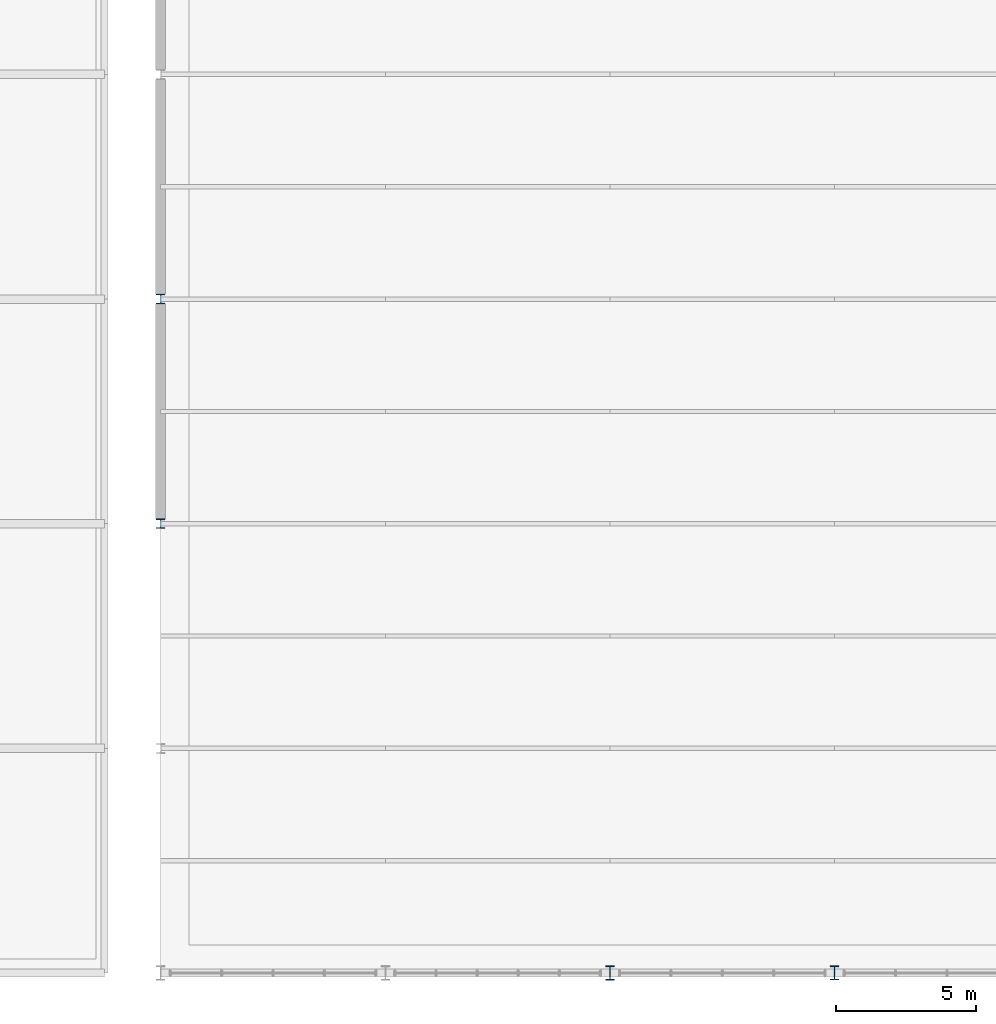
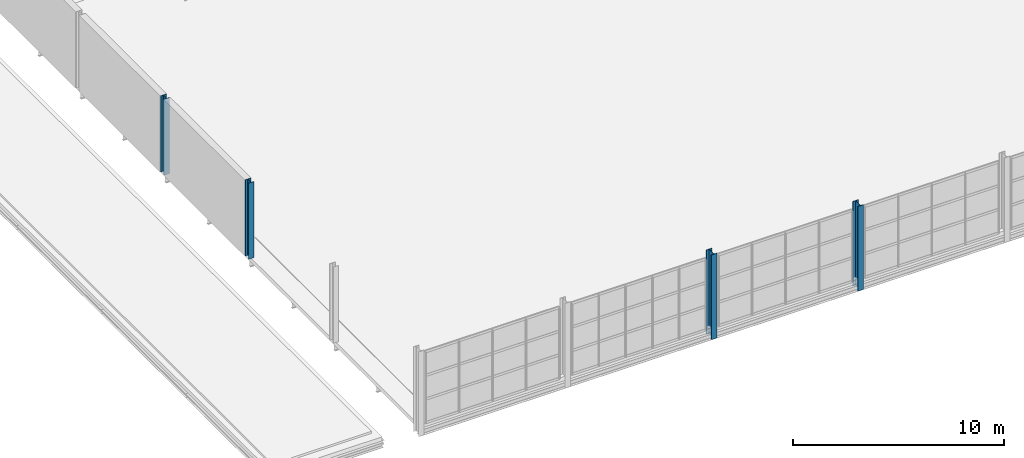
# One storey, part 6 of 153: 4 columns.
"""IFC4 building model written with IfcOpenShell, lengths in metres."""

from ifc_helpers import new_model, si_unit, derived_unit, direction, frame, origin, origin_2d, place, context, subcontext, project, spatial, i_section, extrude, material, material_profile, profile_set, type_object, element, save


model = new_model("IFC4")

# Units and contexts
model_context = context("Model", 3, precision=1e-05, world=origin(), true_north=direction((0.0, 1.0)))
body_context = subcontext(model_context, "Body", "Model", "MODEL_VIEW")
ifc_project = project(units=[si_unit("LENGTHUNIT", "METRE"), si_unit("AREAUNIT", "SQUARE_METRE"), si_unit("VOLUMEUNIT", "CUBIC_METRE"), si_unit("PLANEANGLEUNIT", "RADIAN"), si_unit("MASSUNIT", "GRAM", prefix="KILO"), derived_unit("THERMALTRANSMITTANCEUNIT", [(si_unit("POWERUNIT", "WATT"), 1), (si_unit("LENGTHUNIT", "METRE"), -2), (si_unit("THERMODYNAMICTEMPERATUREUNIT", "KELVIN"), -1)])], contexts=[model_context])

# Site, building, storey
site_placement = place(None, origin())
site = spatial("IfcSite", under=ifc_project, at=site_placement, CompositionType="ELEMENT")
building_placement = place(site_placement, origin())
building = spatial("IfcBuilding", under=site, at=building_placement, Name="Keldorne Ridge Multi-Sports Centre", CompositionType="ELEMENT")
storey_placement = place(building_placement, frame((0.0, 0.0, 9.60009765625)))
storey = spatial("IfcBuildingStorey", under=building, at=storey_placement, Name="L02", CompositionType="ELEMENT", Elevation=9.60009765625)

# Columns
ifc_material = material(Name="Steel S355", Category="steel")
ifc_material_profile_1 = material_profile(ifc_material, i_section(OverallWidth=0.300048828125, OverallDepth=0.5, WebThickness=0.014404296875, FlangeThickness=0.028076171875, FilletRadius=0.027099609375, at=origin_2d()), Name="HEB 500")
ifc_profile_set_1 = profile_set([ifc_material_profile_1], Name="Steel S355")
column_type_1 = type_object("IfcColumnType", Name="COL-C-05", PredefinedType="COLUMN", material=ifc_profile_set_1)
for number, where, z_axis, x_axis, name in (
    (1, (120.0, 6.0, -0.489990234375), (0.0, 0.0, 1.0), (1.0, 0.0, 0.0), "Structural column V2-TRUSS-S-03 on L02"),
    (2, (128.0, 6.0, -0.489990234375), (0.0, 0.0, 1.0), (1.0, 0.0, 0.0), "Structural column V2-TRUSS-S-04 on L02"),
):
    element("IfcColumn", number, at=place(storey_placement, frame(where, z_axis=z_axis, x_axis=x_axis)), inside=storey, type_object=column_type_1, Name=name, PredefinedType="COLUMN", context=body_context, shape_type="SweptSolid", body=[
        extrude(i_section(OverallWidth=0.300048828125, OverallDepth=0.5, WebThickness=0.014404296875, FlangeThickness=0.028076171875, FilletRadius=0.027099609375, at=origin_2d()), origin(), (0.0, 0.0, 1.0), 4.889892578125),
    ])
ifc_material_profile_2 = material_profile(ifc_material, i_section(OverallWidth=0.300048828125, OverallDepth=0.340087890625, WebThickness=0.011962890625, FlangeThickness=0.021484375, FilletRadius=0.027099609375, at=origin_2d()), Name="HEB 340")
ifc_profile_set_2 = profile_set([ifc_material_profile_2], Name="Steel S355")
column_type_2 = type_object("IfcColumnType", Name="COL-C-11", PredefinedType="COLUMN", material=ifc_profile_set_2)
for number, where, z_axis, x_axis, name in (
    (3, (104.0, 22.0, 0.0), (0.0, 0.0, 1.0), (1.0, 0.0, 0.0), "Structural column V2-GABLE-W-02 on L02"),
    (4, (104.0, 30.0, 0.0), (0.0, 0.0, 1.0), (1.0, 0.0, 0.0), "Structural column V2-GABLE-W-03 on L02"),
):
    element("IfcColumn", number, at=place(storey_placement, frame(where, z_axis=z_axis, x_axis=x_axis)), inside=storey, type_object=column_type_2, Name=name, PredefinedType="COLUMN", context=body_context, shape_type="SweptSolid", body=[
        extrude(i_section(OverallWidth=0.300048828125, OverallDepth=0.340087890625, WebThickness=0.011962890625, FlangeThickness=0.021484375, FilletRadius=0.027099609375, at=origin_2d()), origin(), (0.0, 0.0, 1.0), 4.39990234375),
    ])

save(model, "model.ifc")
